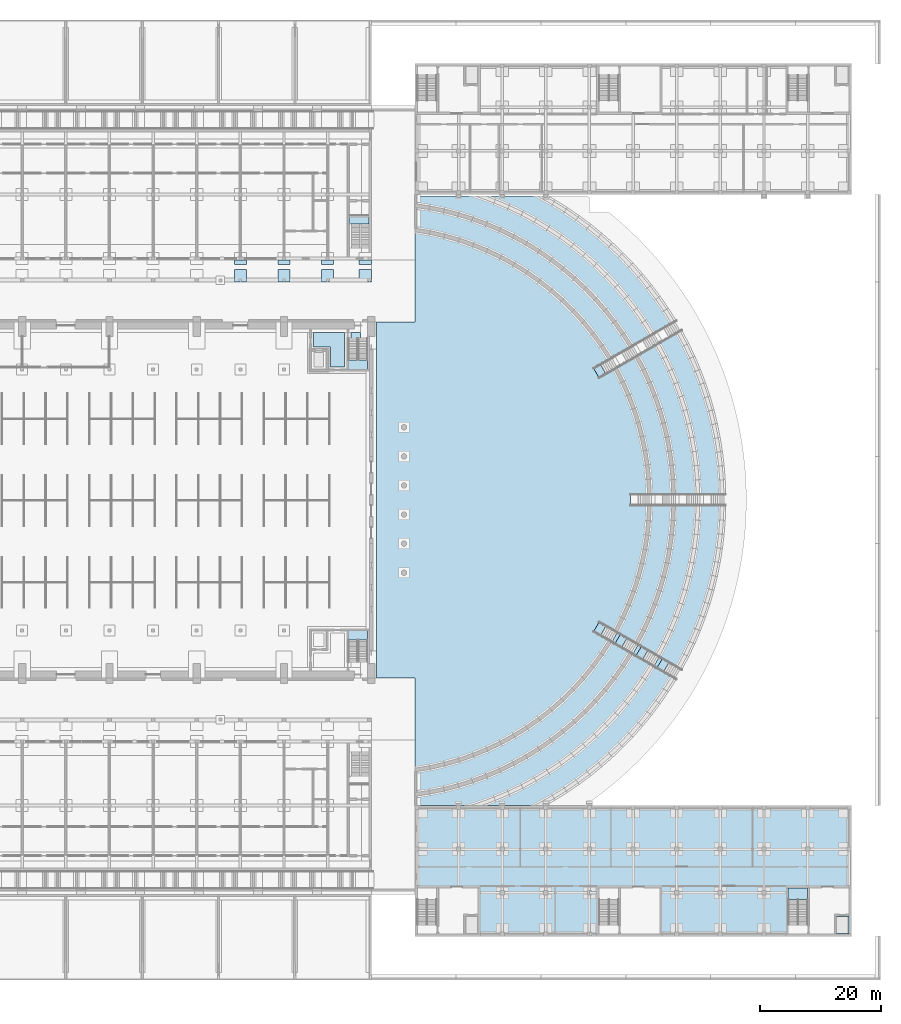
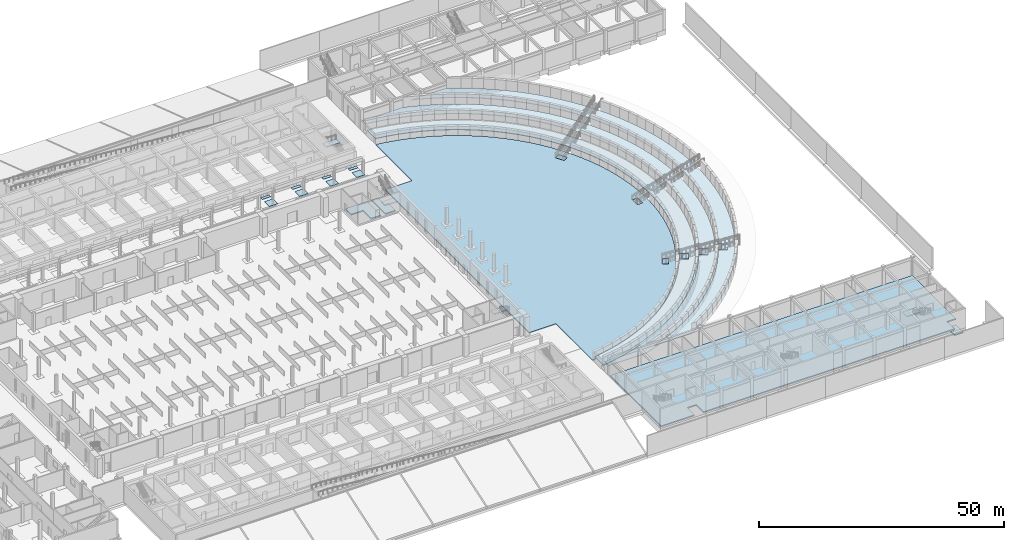
# One storey, part 26 of 73: 28 slabs, 4 elements without a shape of their own.
"""IFC4 building model written with IfcOpenShell, lengths in metres."""

from ifc_helpers import new_model, si_unit, direction, frame, origin, place, context, subcontext, project, spatial, polyline, outline, extrude, material, layer, layer_set, type_object, element, aggregate, save


model = new_model("IFC4")

# Units and contexts
model_context = context("Model", 3, precision=1e-05, world=origin(), true_north=direction((0.0, 1.0)))
body_context = subcontext(model_context, "Body", "Model", "MODEL_VIEW")
ifc_project = project(units=[si_unit("LENGTHUNIT", "METRE"), si_unit("AREAUNIT", "SQUARE_METRE"), si_unit("VOLUMEUNIT", "CUBIC_METRE"), si_unit("PLANEANGLEUNIT", "RADIAN"), si_unit("MASSUNIT", "GRAM", prefix="KILO")], contexts=[model_context])

# Site, building, storey
site_placement = place(None, origin())
site = spatial("IfcSite", under=ifc_project, at=site_placement, CompositionType="ELEMENT")
building_placement = place(site_placement, origin())
building = spatial("IfcBuilding", under=site, at=building_placement, Name="Alderwick Market Hall", CompositionType="ELEMENT")
storey_placement = place(building_placement, origin())
storey = spatial("IfcBuildingStorey", under=building, at=storey_placement, Name="LG", CompositionType="ELEMENT", Elevation=0.0)

# Stair, slab
ifc_material_1 = material(Name="Concrete 5000 psi (f'c 35 MPa)", Category="concrete")
stair_type_1 = type_object("IfcStairType", Name="A Roof Stair 1300", PredefinedType="TWO_STRAIGHT_RUN_STAIR", material=ifc_material_1)
stair_1_placement = place(storey_placement, origin())
stair_1 = element("IfcStair", 1, at=stair_1_placement, inside=storey, type_object=stair_type_1, Name="Roof stair NE", PredefinedType="TWO_STRAIGHT_RUN_STAIR")
ifc_layer_1 = layer(ifc_material_1, 0.199951171875)
ifc_layer_set_1 = layer_set([ifc_layer_1], Name="Concrete 5000 psi (f'c 35 MPa)")
slab_type_1 = type_object("IfcSlabType", Name="A Stair Landing 200", PredefinedType="LANDING", material=ifc_layer_set_1)
slab_1_placement = place(storey_placement, frame((0.0, 0.0, 2.199951171875)))
slab_1 = element("IfcSlab", 2, at=slab_1_placement, type_object=slab_type_1, Name="A-ST-NE landing 1", PredefinedType="LANDING", context=body_context, shape_type="SweptSolid", body=[
    extrude(outline(polyline([(150.800048828125, 124.719970703125), (147.550048828125, 124.719970703125), (147.550048828125, 126.219970703125), (150.800048828125, 126.219970703125), (150.800048828125, 124.719970703125)])), origin(), (0.0, 0.0, 1.0), 0.199951171875),
])
aggregate(stair_1, [slab_1])

# Slabs
ifc_material_2 = material(Name="Concrete 4000 psi (f'c 28 MPa)", Category="concrete")
ifc_layer_2 = layer(ifc_material_2, 0.300048828125)
ifc_layer_set_2 = layer_set([ifc_layer_2], Name="Concrete 4000 psi (f'c 28 MPa)")
slab_type_2 = type_object("IfcSlabType", Name="C Lift Pit Slab Concrete 4000 psi 300", PredefinedType="BASESLAB", material=ifc_layer_set_2)
slab_2_placement = place(storey_placement, frame((0.0, 0.0, -1.800048828125)))
element("IfcSlab", 3, at=slab_2_placement, inside=storey, type_object=slab_type_2, Name="C.pitslab.LG.C", PredefinedType="BASESLAB", context=body_context, shape_type="SweptSolid", body=[
    extrude(outline(polyline([(227.89990234375, 10.60009765625), (230.0, 10.60009765625), (230.0, 7.60009765625), (227.89990234375, 7.60009765625), (227.89990234375, 10.60009765625)])), origin(), (0.0, 0.0, 1.0), 0.300048828125),
])
ifc_layer_3 = layer(ifc_material_2, 0.300048828125)
ifc_layer_set_3 = layer_set([ifc_layer_3], Name="Concrete 4000 psi (f'c 28 MPa)")
slab_type_3 = type_object("IfcSlabType", Name="C Slab on Grade Concrete 4000 psi 300", PredefinedType="BASESLAB", material=ifc_layer_set_3)
slab_3_placement = place(storey_placement, frame((0.0, 0.0, -0.300048828125)))
element("IfcSlab", 4, at=slab_3_placement, inside=storey, type_object=slab_type_3, Name="C.slab.LG.01", PredefinedType="BASESLAB", context=body_context, shape_type="SweptSolid", body=[
    extrude(outline(polyline([(230.0, 10.60009765625), (227.89990234375, 10.60009765625), (227.89990234375, 7.60009765625), (168.800048828125, 7.60009765625), (168.800048828125, 10.60009765625), (166.699951171875, 10.60009765625), (166.699951171875, 7.60009765625), (158.800048828125, 7.60009765625), (158.800048828125, 28.39990234375), (230.0, 28.39990234375), (230.0, 10.60009765625)])), origin(), (0.0, 0.0, 1.0), 0.300048828125),
])

# Stair, slab
stair_type_2 = type_object("IfcStairType", Name="C Exit Stair 1600", PredefinedType="HALF_TURN_STAIR", material=ifc_material_1)
stair_2_placement = place(storey_placement, origin())
stair_2 = element("IfcStair", 5, at=stair_2_placement, inside=storey, type_object=stair_type_2, Name="C.stair.LG.C", PredefinedType="HALF_TURN_STAIR")
ifc_layer_4 = layer(ifc_material_1, 0.199951171875)
ifc_layer_set_4 = layer_set([ifc_layer_4], Name="Concrete 5000 psi (f'c 35 MPa)")
slab_type_4 = type_object("IfcSlabType", Name="C Stair Landing Concrete 5000 psi 200", PredefinedType="LANDING", material=ifc_layer_set_4)
slab_4_placement = place(storey_placement, frame((0.0, 0.0, 2.199951171875)))
slab_4 = element("IfcSlab", 6, at=slab_4_placement, type_object=slab_type_4, Name="C-ST-C-LG landing 1", PredefinedType="LANDING", context=body_context, shape_type="SweptSolid", body=[
    extrude(outline(polyline([(220.0, 15.199951171875), (223.199951171875, 15.199951171875), (223.199951171875, 13.300048828125), (220.0, 13.300048828125), (220.0, 15.199951171875)])), origin(), (0.0, 0.0, 1.0), 0.199951171875),
])
aggregate(stair_2, [slab_4])

# Slabs
ifc_layer_5 = layer(ifc_material_2, 0.300048828125)
ifc_layer_set_5 = layer_set([ifc_layer_5], Name="Concrete 4000 psi (f'c 28 MPa)")
slab_type_5 = type_object("IfcSlabType", Name="H Base slab 300", PredefinedType="BASESLAB", material=ifc_layer_set_5)
slab_5_placement = place(storey_placement, frame((0.0, 0.0, -0.300048828125)))
element("IfcSlab", 7, at=slab_5_placement, inside=storey, type_object=slab_type_5, Name="Base slab", PredefinedType="BASESLAB", context=body_context, shape_type="SweptSolid", body=[
    extrude(outline(polyline([(149.39990234375, 104.10009765625), (150.199951171875, 104.10009765625), (150.199951171875, 101.159912109375), (147.85009765625, 101.159912109375), (147.85009765625, 106.800048828125), (149.39990234375, 106.800048828125), (149.39990234375, 104.10009765625)])), origin(), (0.0, 0.0, 1.0), 0.300048828125),
])
slab_6_placement = place(storey_placement, frame((0.0, 0.0, -0.300048828125)))
element("IfcSlab", 8, at=slab_6_placement, inside=storey, type_object=slab_type_5, Name="Base slab", PredefinedType="BASESLAB", context=body_context, shape_type="SweptSolid", body=[
    extrude(outline(polyline([(141.699951171875, 106.800048828125), (146.800048828125, 106.800048828125), (146.800048828125, 101.159912109375), (144.449951171875, 101.159912109375), (144.449951171875, 104.409912109375), (141.699951171875, 104.409912109375), (141.699951171875, 106.800048828125)])), origin(), (0.0, 0.0, 1.0), 0.300048828125),
])

# Stair, slab
stair_type_3 = type_object("IfcStairType", Name="H Stair 1500", PredefinedType="HALF_TURN_STAIR", material=ifc_material_1)
stair_3_placement = place(storey_placement, origin())
stair_3 = element("IfcStair", 9, at=stair_3_placement, inside=storey, type_object=stair_type_3, Name="LG Exit stair H-SE", PredefinedType="HALF_TURN_STAIR")
ifc_layer_6 = layer(ifc_material_2, 0.199951171875)
ifc_layer_set_6 = layer_set([ifc_layer_6], Name="Concrete 4000 psi (f'c 28 MPa)")
slab_type_6 = type_object("IfcSlabType", Name="H Stair landing 200", PredefinedType="LANDING", material=ifc_layer_set_6)
slab_7_placement = place(storey_placement, frame((0.0, 0.0, 2.199951171875)))
slab_7 = element("IfcSlab", 10, at=slab_7_placement, type_object=slab_type_6, Name="H-SE landing 1", PredefinedType="LANDING", context=body_context, shape_type="SweptSolid", body=[
    extrude(outline(polyline([(150.60009765625, 56.139892578125), (150.60009765625, 57.639892578125), (147.449951171875, 57.639892578125), (147.449951171875, 56.139892578125), (150.60009765625, 56.139892578125)])), origin(), (0.0, 0.0, 1.0), 0.199951171875),
])
aggregate(stair_3, [slab_7])

stair_4_placement = place(storey_placement, origin())
stair_4 = element("IfcStair", 11, at=stair_4_placement, inside=storey, type_object=stair_type_3, Name="LG Exit stair H-NE", PredefinedType="HALF_TURN_STAIR")
slab_8_placement = place(storey_placement, frame((0.0, 0.0, 2.199951171875)))
slab_8 = element("IfcSlab", 12, at=slab_8_placement, type_object=slab_type_6, Name="H-NE landing 1", PredefinedType="LANDING", context=body_context, shape_type="SweptSolid", body=[
    extrude(outline(polyline([(147.449951171875, 102.260009765625), (147.449951171875, 100.760009765625), (150.60009765625, 100.760009765625), (150.60009765625, 102.260009765625), (147.449951171875, 102.260009765625)])), origin(), (0.0, 0.0, 1.0), 0.199951171875),
])
aggregate(stair_4, [slab_8])

# Slabs
ifc_layer_7 = layer(ifc_material_2, 0.14990234375)
ifc_layer_set_7 = layer_set([ifc_layer_7], Name="Concrete 4000 psi (f'c 28 MPa)")
slab_type_7 = type_object("IfcSlabType", Name="S Paving Arcade 150", PredefinedType="USERDEFINED", material=ifc_layer_set_7)
slab_9_placement = place(storey_placement, frame((0.0, 0.0, -0.14990234375)))
element("IfcSlab", 13, at=slab_9_placement, inside=storey, type_object=slab_type_7, Name="Paving arcade 01", ObjectType="PAVING SLAB", PredefinedType="USERDEFINED", context=body_context, shape_type="SweptSolid", body=[
    extrude(outline(polyline([(151.199951171875, 118.800048828125), (149.199951171875, 118.800048828125), (149.199951171875, 118.050048828125), (151.199951171875, 118.050048828125), (151.199951171875, 118.800048828125)])), origin(), (0.0, 0.0, 1.0), 0.14990234375),
])
slab_10_placement = place(storey_placement, frame((0.0, 0.0, -0.14990234375)))
element("IfcSlab", 14, at=slab_10_placement, inside=storey, type_object=slab_type_7, Name="Paving arcade 02", ObjectType="PAVING SLAB", PredefinedType="USERDEFINED", context=body_context, shape_type="SweptSolid", body=[
    extrude(outline(polyline([(151.199951171875, 117.199951171875), (149.199951171875, 117.199951171875), (149.199951171875, 115.199951171875), (151.199951171875, 115.199951171875), (151.199951171875, 117.199951171875)])), origin(), (0.0, 0.0, 1.0), 0.14990234375),
])
slab_11_placement = place(storey_placement, frame((0.0, 0.0, -0.14990234375)))
element("IfcSlab", 15, at=slab_11_placement, inside=storey, type_object=slab_type_7, Name="Paving arcade 05", ObjectType="PAVING SLAB", PredefinedType="USERDEFINED", context=body_context, shape_type="SweptSolid", body=[
    extrude(outline(polyline([(143.0, 118.800048828125), (143.0, 118.050048828125), (145.0, 118.050048828125), (145.0, 118.800048828125), (143.0, 118.800048828125)])), origin(), (0.0, 0.0, 1.0), 0.14990234375),
])
slab_12_placement = place(storey_placement, frame((0.0, 0.0, -0.14990234375)))
element("IfcSlab", 16, at=slab_12_placement, inside=storey, type_object=slab_type_7, Name="Paving arcade 07", ObjectType="PAVING SLAB", PredefinedType="USERDEFINED", context=body_context, shape_type="SweptSolid", body=[
    extrude(outline(polyline([(145.0, 115.199951171875), (145.0, 117.199951171875), (143.0, 117.199951171875), (143.0, 115.199951171875), (145.0, 115.199951171875)])), origin(), (0.0, 0.0, 1.0), 0.14990234375),
])
slab_13_placement = place(storey_placement, frame((0.0, 0.0, -0.14990234375)))
element("IfcSlab", 17, at=slab_13_placement, inside=storey, type_object=slab_type_7, Name="Paving arcade 09", ObjectType="PAVING SLAB", PredefinedType="USERDEFINED", context=body_context, shape_type="SweptSolid", body=[
    extrude(outline(polyline([(135.800048828125, 118.800048828125), (135.800048828125, 118.050048828125), (137.800048828125, 118.050048828125), (137.800048828125, 118.800048828125), (135.800048828125, 118.800048828125)])), origin(), (0.0, 0.0, 1.0), 0.14990234375),
])
slab_14_placement = place(storey_placement, frame((0.0, 0.0, -0.14990234375)))
element("IfcSlab", 18, at=slab_14_placement, inside=storey, type_object=slab_type_7, Name="Paving arcade 11", ObjectType="PAVING SLAB", PredefinedType="USERDEFINED", context=body_context, shape_type="SweptSolid", body=[
    extrude(outline(polyline([(137.800048828125, 115.199951171875), (137.800048828125, 117.199951171875), (135.800048828125, 117.199951171875), (135.800048828125, 115.199951171875), (137.800048828125, 115.199951171875)])), origin(), (0.0, 0.0, 1.0), 0.14990234375),
])
slab_15_placement = place(storey_placement, frame((0.0, 0.0, -0.14990234375)))
element("IfcSlab", 19, at=slab_15_placement, inside=storey, type_object=slab_type_7, Name="Paving arcade 13", ObjectType="PAVING SLAB", PredefinedType="USERDEFINED", context=body_context, shape_type="SweptSolid", body=[
    extrude(outline(polyline([(130.60009765625, 115.199951171875), (130.60009765625, 117.199951171875), (128.60009765625, 117.199951171875), (128.60009765625, 115.199951171875), (130.60009765625, 115.199951171875)])), origin(), (0.0, 0.0, 1.0), 0.14990234375),
])
slab_16_placement = place(storey_placement, frame((0.0, 0.0, -0.14990234375)))
element("IfcSlab", 20, at=slab_16_placement, inside=storey, type_object=slab_type_7, Name="Paving arcade 16", ObjectType="PAVING SLAB", PredefinedType="USERDEFINED", context=body_context, shape_type="SweptSolid", body=[
    extrude(outline(polyline([(128.60009765625, 118.800048828125), (128.60009765625, 118.050048828125), (130.60009765625, 118.050048828125), (130.60009765625, 118.800048828125), (128.60009765625, 118.800048828125)])), origin(), (0.0, 0.0, 1.0), 0.14990234375),
])
ifc_layer_8 = layer(ifc_material_2, 0.199951171875)
ifc_layer_set_8 = layer_set([ifc_layer_8], Name="Concrete 4000 psi (f'c 28 MPa)")
slab_type_8 = type_object("IfcSlabType", Name="S Paving Plaza 200", PredefinedType="USERDEFINED", material=ifc_layer_set_8)
slab_17_placement = place(storey_placement, frame((0.0, 0.0, -0.199951171875)))
element("IfcSlab", 21, at=slab_17_placement, inside=storey, type_object=slab_type_8, Name="Plaza paving 01", ObjectType="PAVING SLAB", PredefinedType="USERDEFINED", context=body_context, shape_type="SweptSolid", body=[
    extrude(outline(polyline([(163.203369140625, 122.498779296875), (160.7939453125, 123.04638671875), (158.39990234375, 123.452392578125), (158.39990234375, 118.800048828125), (158.39990234375, 108.60009765625), (152.10009765625, 108.60009765625), (152.10009765625, 49.800048828125), (158.39990234375, 49.800048828125), (158.39990234375, 39.60009765625), (158.39990234375, 34.947509765625), (160.7939453125, 35.353759765625), (163.203369140625, 35.901123046875), (165.578857421875, 36.580810546875), (167.9130859375, 37.390625), (170.19921875, 38.328125), (172.4296875, 39.390625), (174.598388671875, 40.57470703125), (176.697998046875, 41.876953125), (178.722900390625, 43.293212890625), (180.666015625, 44.81884765625), (182.522216796875, 46.449951171875), (184.285400390625, 48.180908203125), (185.949951171875, 50.006591796875), (187.511474609375, 51.92138671875), (188.964599609375, 53.919921875), (190.3095703125, 56.002197265625), (191.294677734375, 57.708740234375), (192.385986328125, 59.832275390625), (193.359619140625, 62.00341796875), (194.21630859375, 64.223388671875), (194.95361328125, 66.485595703125), (195.5693359375, 68.7841796875), (196.06201171875, 71.112060546875), (196.43017578125, 73.462890625), (196.672607421875, 75.830078125), (196.789306640625, 78.214599609375), (196.789306640625, 80.185302734375), (196.672607421875, 82.570068359375), (196.43017578125, 84.93701171875), (196.06201171875, 87.287841796875), (195.5693359375, 89.615966796875), (194.95361328125, 91.914306640625), (194.21630859375, 94.1767578125), (193.359619140625, 96.396484375), (192.385986328125, 98.56787109375), (191.294677734375, 100.69140625), (190.3095703125, 102.397705078125), (188.964599609375, 104.480224609375), (187.511474609375, 106.478515625), (185.949951171875, 108.393310546875), (184.285400390625, 110.21923828125), (182.522216796875, 111.9501953125), (180.666015625, 113.5810546875), (178.722900390625, 115.10693359375), (176.697998046875, 116.523193359375), (174.598388671875, 117.8251953125), (172.4296875, 119.00927734375), (170.19921875, 120.07177734375), (167.9130859375, 121.009521484375), (165.578857421875, 121.8193359375), (163.203369140625, 122.498779296875)]), holes=[polyline([(195.24853515625, 80.199951171875), (193.948486328125, 80.199951171875), (193.948486328125, 78.199951171875), (195.24853515625, 78.199951171875), (195.24853515625, 80.199951171875)]), polyline([(188.841796875, 59.141845703125), (187.841796875, 57.40966796875), (188.9677734375, 56.759765625), (189.9677734375, 58.49169921875), (188.841796875, 59.141845703125)]), polyline([(188.9677734375, 101.640380859375), (187.841796875, 100.990234375), (188.841796875, 99.25830078125), (189.9677734375, 99.908203125), (188.9677734375, 101.640380859375)])]), origin(), (0.0, 0.0, 1.0), 0.199951171875),
])
ifc_layer_9 = layer(ifc_material_2, 0.14990234375)
ifc_layer_set_9 = layer_set([ifc_layer_9], Name="Concrete 4000 psi (f'c 28 MPa)")
slab_type_9 = type_object("IfcSlabType", Name="S Terrace Deck 150", PredefinedType="USERDEFINED", material=ifc_layer_set_9)
slab_18_placement = place(storey_placement, frame((0.0, 0.0, 0.89990234375)))
element("IfcSlab", 22, at=slab_18_placement, inside=storey, type_object=slab_type_9, Name="Terrace tread 1.01", ObjectType="PAVING SLAB", PredefinedType="USERDEFINED", context=body_context, shape_type="SweptSolid", body=[
    extrude(outline(polyline([(158.699951171875, 34.389892578125), (158.699951171875, 30.956787109375), (160.76171875, 31.276611328125), (163.140380859375, 31.76806640625), (165.49169921875, 32.37744140625), (167.8095703125, 33.103515625), (170.08837890625, 33.944091796875), (172.322509765625, 34.897216796875), (174.50634765625, 35.960693359375), (176.634521484375, 37.131591796875), (178.701416015625, 38.4072265625), (180.702392578125, 39.784423828125), (182.632080078125, 41.259521484375), (184.485595703125, 42.8291015625), (186.2587890625, 44.489013671875), (187.947021484375, 46.2353515625), (189.546142578125, 48.063720703125), (191.052001953125, 49.969482421875), (192.4609375, 51.947998046875), (193.773681640625, 54.000732421875), (194.76025390625, 55.70947265625), (195.84716796875, 57.802001953125), (196.828857421875, 59.938232421875), (197.706298828125, 62.119384765625), (198.477294921875, 64.340087890625), (199.140380859375, 66.595458984375), (199.694091796875, 68.88037109375), (200.136474609375, 71.189208984375), (200.46728515625, 73.516845703125), (200.68505859375, 75.857666015625), (200.7900390625, 78.21337890625), (200.7900390625, 80.1865234375), (200.68505859375, 82.54248046875), (200.46728515625, 84.88330078125), (200.136474609375, 87.210693359375), (199.694091796875, 89.51953125), (199.140380859375, 91.804443359375), (198.477294921875, 94.059814453125), (197.706298828125, 96.28076171875), (196.828857421875, 98.4619140625), (195.84716796875, 100.597900390625), (194.76025390625, 102.690673828125), (193.773681640625, 104.3994140625), (192.4609375, 106.451904296875), (191.052001953125, 108.430419921875), (189.546142578125, 110.336181640625), (187.947021484375, 112.16455078125), (186.2587890625, 113.910888671875), (184.485595703125, 115.571044921875), (182.632080078125, 117.140380859375), (180.702392578125, 118.615478515625), (178.701416015625, 119.99267578125), (176.634521484375, 121.268310546875), (174.50634765625, 122.439208984375), (172.322509765625, 123.502685546875), (170.08837890625, 124.455810546875), (167.8095703125, 125.29638671875), (165.49169921875, 126.0224609375), (163.140380859375, 126.632080078125), (160.76171875, 127.123291015625), (158.699951171875, 127.443115234375), (158.699951171875, 124.01025390625), (160.91064453125, 123.635009765625), (163.352294921875, 123.080322265625), (165.759765625, 122.3916015625), (168.12548828125, 121.57080078125), (170.442138671875, 120.62060546875), (172.70263671875, 119.5439453125), (174.900390625, 118.343994140625), (177.0283203125, 117.0244140625), (179.080322265625, 115.589111328125), (181.0498046875, 114.042724609375), (182.9306640625, 112.389892578125), (184.71728515625, 110.6357421875), (186.404541015625, 108.785400390625), (187.98681640625, 106.8447265625), (189.45947265625, 104.819580078125), (190.8134765625, 102.72314453125), (191.828369140625, 100.965576171875), (192.927001953125, 98.827880859375), (193.91357421875, 96.62744140625), (194.78173828125, 94.377685546875), (195.529052734375, 92.0849609375), (196.153076171875, 89.755615234375), (196.65234375, 87.396484375), (197.025390625, 85.01416015625), (197.271240234375, 82.615234375), (197.388427734375, 80.214599609375), (197.388427734375, 78.185302734375), (197.271240234375, 75.784912109375), (197.025390625, 73.385986328125), (196.65234375, 71.00341796875), (196.153076171875, 68.644287109375), (195.529052734375, 66.31494140625), (194.78173828125, 64.022216796875), (193.91357421875, 61.7724609375), (192.927001953125, 59.572021484375), (191.828369140625, 57.434326171875), (190.8134765625, 55.6767578125), (189.45947265625, 53.580322265625), (187.98681640625, 51.55517578125), (186.404541015625, 49.614501953125), (184.71728515625, 47.764404296875), (182.9306640625, 46.010009765625), (181.0498046875, 44.357421875), (179.080322265625, 42.810791015625), (177.0283203125, 41.375732421875), (174.900390625, 40.05615234375), (172.70263671875, 38.856201171875), (170.442138671875, 37.779296875), (168.12548828125, 36.8291015625), (165.759765625, 36.00830078125), (163.352294921875, 35.319580078125), (160.91064453125, 34.764892578125), (158.699951171875, 34.389892578125)])), origin(), (0.0, 0.0, 1.0), 0.150146484375),
])
slab_19_placement = place(storey_placement, frame((0.0, 0.0, 1.050048828125)))
element("IfcSlab", 23, at=slab_19_placement, inside=storey, type_object=slab_type_9, Name="Stair arrival pad 1.1", ObjectType="PAVING SLAB", PredefinedType="USERDEFINED", context=body_context, shape_type="SweptSolid", body=[
    extrude(outline(polyline([(191.854736328125, 57.460205078125), (190.8046875, 55.641357421875), (191.32421875, 55.34130859375), (192.374267578125, 57.16015625), (191.854736328125, 57.460205078125)])), origin(), (0.0, 0.0, 1.0), 0.14990234375),
])
slab_20_placement = place(storey_placement, frame((0.0, 0.0, 2.10009765625)))
element("IfcSlab", 24, at=slab_20_placement, inside=storey, type_object=slab_type_9, Name="Terrace tread 2.01", ObjectType="PAVING SLAB", PredefinedType="USERDEFINED", context=body_context, shape_type="SweptSolid", body=[
    extrude(outline(polyline([(158.699951171875, 30.349609375), (158.699951171875, 28.81005859375), (158.39990234375, 28.81005859375), (158.39990234375, 28.800048828125), (167.496337890625, 28.800048828125), (168.281494140625, 29.0458984375), (169.148681640625, 29.333984375), (171.452880859375, 30.18212890625), (173.71484375, 31.13671875), (175.929931640625, 32.195556640625), (178.093505859375, 33.3564453125), (180.200439453125, 34.616943359375), (182.246337890625, 35.97412109375), (184.22705078125, 37.42529296875), (186.137939453125, 38.966796875), (187.974853515625, 40.595947265625), (189.73388671875, 42.30859375), (191.411376953125, 44.1015625), (193.00341796875, 45.970703125), (194.5068359375, 47.911865234375), (195.91796875, 49.9208984375), (197.23779296875, 51.99951171875), (198.225341796875, 53.7099609375), (199.308837890625, 55.777587890625), (200.297119140625, 57.884765625), (201.191162109375, 60.03369140625), (201.989501953125, 62.22021484375), (202.690673828125, 64.439453125), (203.29296875, 66.687744140625), (203.795654296875, 68.960205078125), (204.197265625, 71.2529296875), (204.497314453125, 73.56103515625), (204.6953125, 75.880126953125), (204.790771484375, 78.21240234375), (204.790771484375, 80.187744140625), (204.6953125, 82.52001953125), (204.497314453125, 84.839111328125), (204.197265625, 87.147216796875), (203.795654296875, 89.439697265625), (203.29296875, 91.71240234375), (202.690673828125, 93.96044921875), (201.989501953125, 96.179931640625), (201.191162109375, 98.3662109375), (200.297119140625, 100.51513671875), (199.308837890625, 102.62255859375), (198.225341796875, 104.68994140625), (197.23779296875, 106.400390625), (195.91796875, 108.47900390625), (194.5068359375, 110.48828125), (193.00341796875, 112.42919921875), (191.411376953125, 114.29833984375), (189.73388671875, 116.09130859375), (187.974853515625, 117.80419921875), (186.137939453125, 119.43310546875), (184.22705078125, 120.974853515625), (182.246337890625, 122.42578125), (180.200439453125, 123.782958984375), (178.093505859375, 125.04345703125), (175.929931640625, 126.204345703125), (173.71484375, 127.26318359375), (171.452880859375, 128.218017578125), (169.148681640625, 129.066162109375), (168.2939453125, 129.35009765625), (158.699951171875, 129.35009765625), (158.699951171875, 128.05029296875), (160.868408203125, 127.714111328125), (163.2763671875, 127.216552734375), (165.65673828125, 126.599609375), (168.003173828125, 125.864501953125), (170.31005859375, 125.013671875), (172.57177734375, 124.048583984375), (174.782470703125, 122.97216796875), (176.936767578125, 121.786865234375), (179.029296875, 120.49560546875), (181.0546875, 119.101318359375), (183.00830078125, 117.608154296875), (184.884765625, 116.019287109375), (186.679931640625, 114.338623046875), (188.388916015625, 112.57080078125), (190.0078125, 110.719970703125), (191.531982421875, 108.790771484375), (192.95849609375, 106.787841796875), (194.279052734375, 104.722412109375), (195.29248046875, 102.96728515625), (196.38623046875, 100.861572265625), (197.3798828125, 98.69921875), (198.268310546875, 96.4912109375), (199.049072265625, 94.242919921875), (199.72021484375, 91.959716796875), (200.280517578125, 89.646728515625), (200.728515625, 87.3095703125), (201.063232421875, 84.953369140625), (201.28369140625, 82.58349609375), (201.389404296875, 80.21337890625), (201.389404296875, 78.1865234375), (201.28369140625, 75.81640625), (201.063232421875, 73.44677734375), (200.728515625, 71.090576171875), (200.280517578125, 68.753173828125), (199.72021484375, 66.440185546875), (199.049072265625, 64.156982421875), (198.268310546875, 61.90869140625), (197.3798828125, 59.700927734375), (196.38623046875, 57.538330078125), (195.29248046875, 55.432861328125), (194.279052734375, 53.677490234375), (192.95849609375, 51.6123046875), (191.531982421875, 49.609375), (190.0078125, 47.679931640625), (188.388916015625, 45.8291015625), (186.679931640625, 44.061279296875), (184.884765625, 42.380859375), (183.00830078125, 40.7919921875), (181.0546875, 39.298583984375), (179.029296875, 37.904541015625), (176.936767578125, 36.61328125), (174.782470703125, 35.427734375), (172.57177734375, 34.351318359375), (170.31005859375, 33.38623046875), (168.003173828125, 32.535400390625), (165.65673828125, 31.800537109375), (163.2763671875, 31.18359375), (160.868408203125, 30.685791015625), (158.699951171875, 30.349609375)])), origin(), (0.0, 0.0, 1.0), 0.14990234375),
])
slab_21_placement = place(storey_placement, frame((0.0, 0.0, 2.25)))
element("IfcSlab", 25, at=slab_21_placement, inside=storey, type_object=slab_type_9, Name="Stair arrival pad 2.1", ObjectType="PAVING SLAB", PredefinedType="USERDEFINED", context=body_context, shape_type="SweptSolid", body=[
    extrude(outline(polyline([(195.319580078125, 55.459716796875), (194.26953125, 53.640869140625), (194.789306640625, 53.3408203125), (195.839111328125, 55.15966796875), (195.319580078125, 55.459716796875)])), origin(), (0.0, 0.0, 1.0), 0.14990234375),
])
slab_22_placement = place(storey_placement, frame((0.0, 0.0, 3.300048828125)))
element("IfcSlab", 26, at=slab_22_placement, inside=storey, type_object=slab_type_9, Name="Terrace tread 3.01", ObjectType="PAVING SLAB", PredefinedType="USERDEFINED", context=body_context, shape_type="SweptSolid", body=[
    extrude(outline(polyline([(171.673095703125, 29.623779296875), (169.43505859375, 28.800048828125), (178.0732421875, 28.800048828125), (178.193603515625, 28.861083984375), (179.04931640625, 29.31396484375), (181.07666015625, 30.46337890625), (183.0546875, 31.6953125), (184.980712890625, 33.007568359375), (186.85107421875, 34.397705078125), (188.662841796875, 35.863525390625), (190.41259765625, 37.402587890625), (192.097900390625, 39.01220703125), (193.715576171875, 40.689697265625), (195.2626953125, 42.432373046875), (196.7373046875, 44.237060546875), (198.13623046875, 46.100830078125), (199.45751953125, 48.0205078125), (200.701904296875, 49.998046875), (201.6904296875, 51.71044921875), (202.77099609375, 53.757080078125), (203.764404296875, 55.84033203125), (204.672119140625, 57.962158203125), (205.492919921875, 60.119384765625), (206.225341796875, 62.30810546875), (206.867919921875, 64.52490234375), (207.419921875, 66.76611328125), (207.8798828125, 69.02783203125), (208.247802734375, 71.306396484375), (208.5224609375, 73.597900390625), (208.703857421875, 75.89892578125), (208.79150390625, 78.21142578125), (208.79150390625, 80.188720703125), (208.703857421875, 82.501220703125), (208.5224609375, 84.802001953125), (208.247802734375, 87.09375), (207.8798828125, 89.372314453125), (207.419921875, 91.6337890625), (206.867919921875, 93.875), (206.225341796875, 96.091796875), (205.492919921875, 98.280517578125), (204.672119140625, 100.437744140625), (203.764404296875, 102.559814453125), (202.77099609375, 104.64306640625), (201.6904296875, 106.689453125), (200.701904296875, 108.40185546875), (199.45751953125, 110.37939453125), (198.13623046875, 112.299072265625), (196.7373046875, 114.162841796875), (195.2626953125, 115.967529296875), (193.715576171875, 117.710205078125), (192.097900390625, 119.3876953125), (190.41259765625, 120.997314453125), (188.662841796875, 122.536376953125), (186.85107421875, 124.002197265625), (184.980712890625, 125.392333984375), (183.0546875, 126.70458984375), (181.07666015625, 127.9365234375), (179.04931640625, 129.0859375), (178.550537109375, 129.35009765625), (170.1142578125, 129.35009765625), (171.673095703125, 128.776123046875), (173.9609375, 127.810791015625), (176.201416015625, 126.73974609375), (178.389404296875, 125.565673828125), (180.5205078125, 124.290771484375), (182.58984375, 122.918212890625), (184.593017578125, 121.45068359375), (186.525390625, 119.891357421875), (188.38330078125, 118.24365234375), (190.16259765625, 116.511474609375), (191.85888671875, 114.697998046875), (193.46923828125, 112.807861328125), (194.98974609375, 110.844482421875), (196.4169921875, 108.8125), (197.744384765625, 106.72216796875), (198.7568359375, 104.968505859375), (199.846435546875, 102.88916015625), (200.845703125, 100.7578125), (201.750244140625, 98.58447265625), (202.5576171875, 96.373291015625), (203.2666015625, 94.128662109375), (203.8759765625, 91.854736328125), (204.38427734375, 89.556396484375), (204.79052734375, 87.237548828125), (205.093994140625, 84.9033203125), (205.294189453125, 82.5576171875), (205.390380859375, 80.21240234375), (205.390380859375, 78.187744140625), (205.294189453125, 75.84228515625), (205.093994140625, 73.496826171875), (204.79052734375, 71.162353515625), (204.38427734375, 68.84375), (203.8759765625, 66.545166015625), (203.2666015625, 64.271484375), (202.5576171875, 62.026611328125), (201.750244140625, 59.8154296875), (200.845703125, 57.64208984375), (199.846435546875, 55.5107421875), (198.7568359375, 53.431396484375), (197.744384765625, 51.677978515625), (196.4169921875, 49.58740234375), (194.98974609375, 47.555419921875), (193.46923828125, 45.59228515625), (191.85888671875, 43.701904296875), (190.16259765625, 41.888671875), (188.38330078125, 40.15625), (186.525390625, 38.5087890625), (184.593017578125, 36.949462890625), (182.58984375, 35.48193359375), (180.5205078125, 34.109130859375), (178.389404296875, 32.83447265625), (176.201416015625, 31.660400390625), (173.9609375, 30.58935546875), (171.673095703125, 29.623779296875)])), origin(), (0.0, 0.0, 1.0), 0.14990234375),
])
slab_23_placement = place(storey_placement, frame((0.0, 0.0, 3.449951171875)))
element("IfcSlab", 27, at=slab_23_placement, inside=storey, type_object=slab_type_9, Name="Stair arrival pad 3.1", ObjectType="PAVING SLAB", PredefinedType="USERDEFINED", context=body_context, shape_type="SweptSolid", body=[
    extrude(outline(polyline([(198.784423828125, 53.459228515625), (197.734375, 51.640380859375), (198.25390625, 51.340576171875), (199.303955078125, 53.1591796875), (198.784423828125, 53.459228515625)])), origin(), (0.0, 0.0, 1.0), 0.150146484375),
])
slab_24_placement = place(storey_placement, frame((0.0, 0.0, -0.14990234375)))
element("IfcSlab", 28, at=slab_24_placement, inside=storey, type_object=slab_type_9, Name="Stair foot pad 1.1", ObjectType="PAVING SLAB", PredefinedType="USERDEFINED", context=body_context, shape_type="SweptSolid", body=[
    extrude(outline(polyline([(188.841796875, 59.141845703125), (187.841796875, 57.40966796875), (188.9677734375, 56.759765625), (189.9677734375, 58.49169921875), (188.841796875, 59.141845703125)])), origin(), (0.0, 0.0, 1.0), 0.14990234375),
])
slab_25_placement = place(storey_placement, frame((0.0, 0.0, -0.14990234375)))
element("IfcSlab", 29, at=slab_25_placement, inside=storey, type_object=slab_type_9, Name="Stair foot pad 1.3", ObjectType="PAVING SLAB", PredefinedType="USERDEFINED", context=body_context, shape_type="SweptSolid", body=[
    extrude(outline(polyline([(187.841796875, 100.990234375), (188.841796875, 99.25830078125), (189.9677734375, 99.908203125), (188.9677734375, 101.640380859375), (187.841796875, 100.990234375)])), origin(), (0.0, 0.0, 1.0), 0.14990234375),
])
slab_26_placement = place(storey_placement, frame((0.0, 0.0, 1.050048828125)))
element("IfcSlab", 30, at=slab_26_placement, inside=storey, type_object=slab_type_9, Name="Stair foot pad 2.1", ObjectType="PAVING SLAB", PredefinedType="USERDEFINED", context=body_context, shape_type="SweptSolid", body=[
    extrude(outline(polyline([(192.306884765625, 57.141357421875), (191.306884765625, 55.4091796875), (192.4326171875, 54.75927734375), (193.4326171875, 56.4912109375), (192.306884765625, 57.141357421875)])), origin(), (0.0, 0.0, 1.0), 0.14990234375),
])
slab_27_placement = place(storey_placement, frame((0.0, 0.0, 2.25)))
element("IfcSlab", 31, at=slab_27_placement, inside=storey, type_object=slab_type_9, Name="Stair foot pad 3.1", ObjectType="PAVING SLAB", PredefinedType="USERDEFINED", context=body_context, shape_type="SweptSolid", body=[
    extrude(outline(polyline([(195.771484375, 55.140869140625), (194.771484375, 53.40869140625), (195.8974609375, 52.7587890625), (196.8974609375, 54.490966796875), (195.771484375, 55.140869140625)])), origin(), (0.0, 0.0, 1.0), 0.14990234375),
])
slab_28_placement = place(storey_placement, frame((0.0, 0.0, 3.449951171875)))
element("IfcSlab", 32, at=slab_28_placement, inside=storey, type_object=slab_type_9, Name="Stair foot pad 4.1", ObjectType="PAVING SLAB", PredefinedType="USERDEFINED", context=body_context, shape_type="SweptSolid", body=[
    extrude(outline(polyline([(199.236328125, 53.140380859375), (198.236328125, 51.408447265625), (199.3623046875, 50.758544921875), (200.3623046875, 52.490478515625), (199.236328125, 53.140380859375)])), origin(), (0.0, 0.0, 1.0), 0.150146484375),
])

save(model, "model.ifc")
